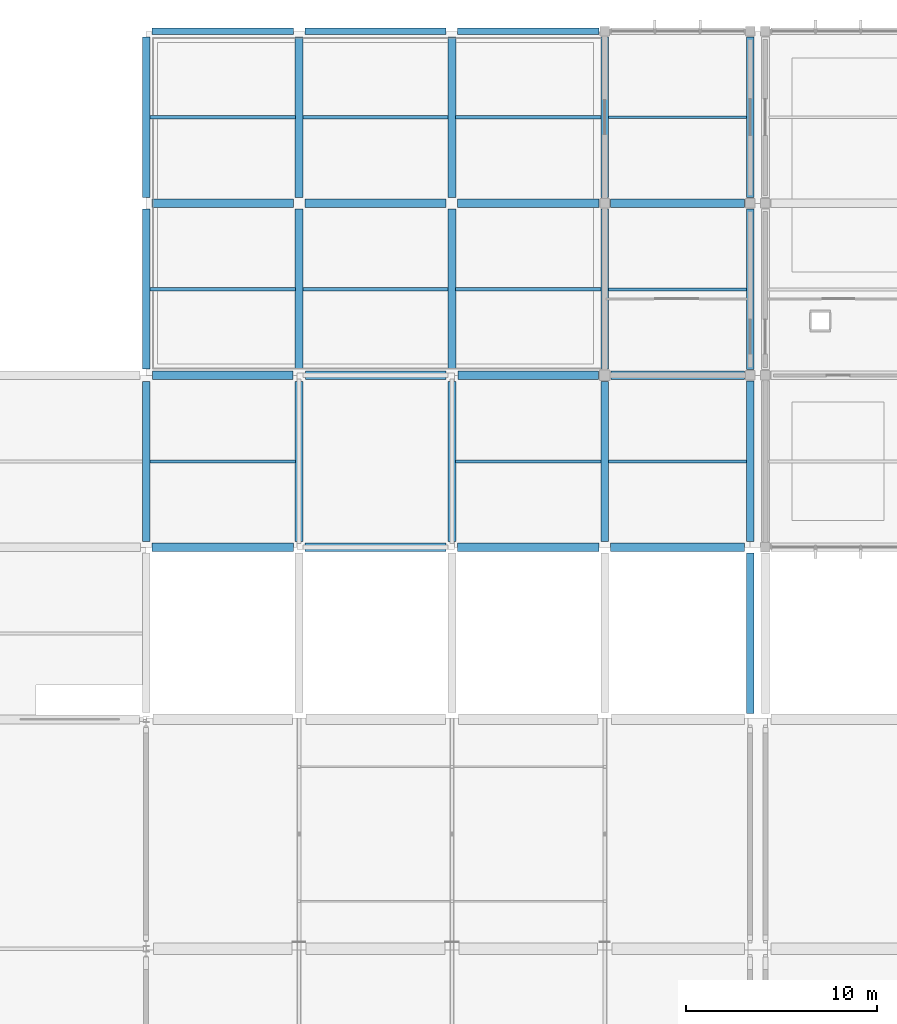
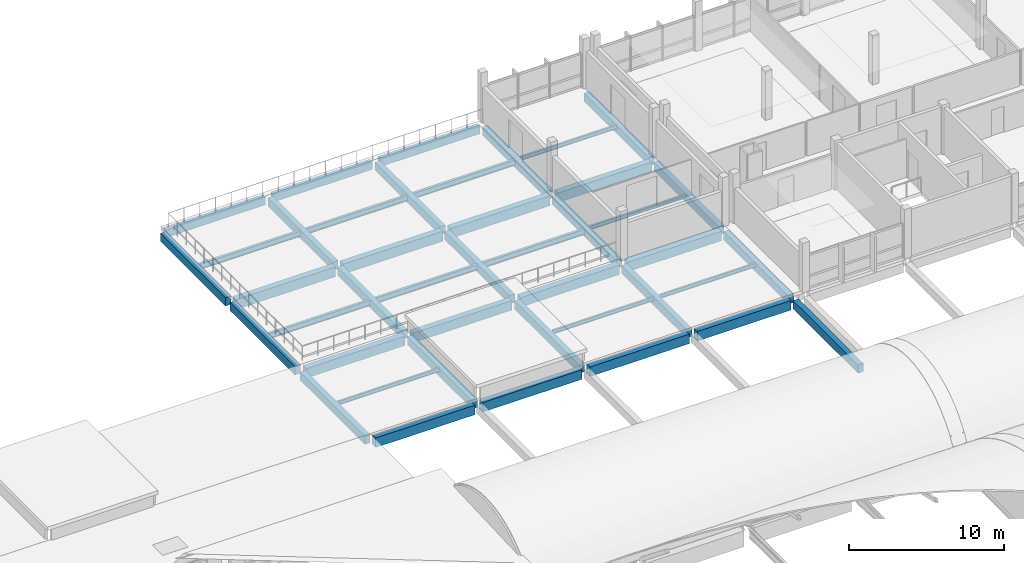
# One storey, part 17 of 57: 42 beams.
"""IFC4 building model written with IfcOpenShell, lengths in metres."""

from ifc_helpers import new_model, si_unit, direction, frame, origin, origin_2d, place, context, subcontext, project, spatial, rectangle, i_section, extrude, material, material_profile, profile_set, type_object, element, save


model = new_model("IFC4")

# Units and contexts
model_context = context("Model", 3, precision=1e-05, world=origin(), true_north=direction((0.0, 1.0)))
body_context = subcontext(model_context, "Body", "Model", "MODEL_VIEW")
ifc_project = project(units=[si_unit("LENGTHUNIT", "METRE"), si_unit("AREAUNIT", "SQUARE_METRE"), si_unit("VOLUMEUNIT", "CUBIC_METRE"), si_unit("PLANEANGLEUNIT", "RADIAN"), si_unit("MASSUNIT", "GRAM", prefix="KILO"), si_unit("THERMODYNAMICTEMPERATUREUNIT", "KELVIN"), si_unit("POWERUNIT", "WATT")], contexts=[model_context])

# Site, building, storey
site_placement = place(None, origin())
site = spatial("IfcSite", under=ifc_project, at=site_placement, CompositionType="ELEMENT")
building_placement = place(site_placement, origin())
building = spatial("IfcBuilding", under=site, at=building_placement, Name="Kronsvod Quay Wholesale Market", CompositionType="ELEMENT")
storey_placement = place(building_placement, frame((0.0, 0.0, 13.199951171875)))
storey = spatial("IfcBuildingStorey", under=building, at=storey_placement, Name="L03", CompositionType="ELEMENT", Elevation=13.199951171875)

# Beams
ifc_material_1 = material(Name="Precast concrete C40/50", Category="concrete")
ifc_material_profile_1 = material_profile(ifc_material_1, rectangle(XDim=0.39990234375, YDim=0.64990234375, at=origin_2d()), Name="PCB400x650")
ifc_profile_set_1 = profile_set([ifc_material_profile_1], Name="Precast concrete C40/50")
beam_type_1 = type_object("IfcBeamType", Name="Beam_PCB400x650", PredefinedType="BEAM", material=ifc_profile_set_1)
for number, where, z_axis, x_axis, name in (
    (1, (32.0, 99.300048828125, -0.635009765625), (0.0, 1.0, 0.0), (-1.0, 0.0, 0.0), "BMY-L03-320-990"),
    (2, (32.0, 108.324951171875, -0.635009765625), (0.0, 1.0, 0.0), (-1.0, 0.0, 0.0), "BMY-L03-320-1080"),
):
    element("IfcBeam", number, at=place(storey_placement, frame(where, z_axis=z_axis, x_axis=x_axis)), inside=storey, type_object=beam_type_1, Name=name, PredefinedType="BEAM", context=body_context, shape_type="SweptSolid", body=[
        extrude(rectangle(XDim=0.39990234375, YDim=0.64990234375, at=origin_2d()), origin(), (0.0, 0.0, 1.0), 8.375),
    ])
beam_1_placement = place(storey_placement, frame((32.0, 117.300048828125, -0.635009765625), z_axis=(0.0, 1.0, 0.0), x_axis=(-1.0, 0.0, 0.0)))
element("IfcBeam", 3, at=beam_1_placement, inside=storey, type_object=beam_type_1, Name="BMY-L03-320-1170", PredefinedType="BEAM", context=body_context, shape_type="SweptSolid", body=[
    extrude(rectangle(XDim=0.39990234375, YDim=0.64990234375, at=origin_2d()), origin(), (0.0, 0.0, 1.0), 8.39990234375),
])
for number, where, z_axis, x_axis, name in (
    (4, (40.0, 99.300048828125, -0.635009765625), (0.0, 1.0, 0.0), (-1.0, 0.0, 0.0), "BMY-L03-400-990"),
    (5, (40.0, 108.324951171875, -0.635009765625), (0.0, 1.0, 0.0), (-1.0, 0.0, 0.0), "BMY-L03-400-1080"),
):
    element("IfcBeam", number, at=place(storey_placement, frame(where, z_axis=z_axis, x_axis=x_axis)), inside=storey, type_object=beam_type_1, Name=name, PredefinedType="BEAM", context=body_context, shape_type="SweptSolid", body=[
        extrude(rectangle(XDim=0.39990234375, YDim=0.64990234375, at=origin_2d()), origin(), (0.0, 0.0, 1.0), 8.375),
    ])
beam_2_placement = place(storey_placement, frame((40.0, 117.300048828125, -0.635009765625), z_axis=(0.0, 1.0, 0.0), x_axis=(-1.0, 0.0, 0.0)))
element("IfcBeam", 6, at=beam_2_placement, inside=storey, type_object=beam_type_1, Name="BMY-L03-400-1170", PredefinedType="BEAM", context=body_context, shape_type="SweptSolid", body=[
    extrude(rectangle(XDim=0.39990234375, YDim=0.64990234375, at=origin_2d()), origin(), (0.0, 0.0, 1.0), 8.39990234375),
])
for number, where, z_axis, x_axis, name in (
    (7, (48.0, 99.300048828125, -0.635009765625), (0.0, 1.0, 0.0), (-1.0, 0.0, 0.0), "BMY-L03-480-990"),
    (8, (48.0, 108.324951171875, -0.635009765625), (0.0, 1.0, 0.0), (-1.0, 0.0, 0.0), "BMY-L03-480-1080"),
):
    element("IfcBeam", number, at=place(storey_placement, frame(where, z_axis=z_axis, x_axis=x_axis)), inside=storey, type_object=beam_type_1, Name=name, PredefinedType="BEAM", context=body_context, shape_type="SweptSolid", body=[
        extrude(rectangle(XDim=0.39990234375, YDim=0.64990234375, at=origin_2d()), origin(), (0.0, 0.0, 1.0), 8.375),
    ])
beam_3_placement = place(storey_placement, frame((48.0, 117.300048828125, -0.635009765625), z_axis=(0.0, 1.0, 0.0), x_axis=(-1.0, 0.0, 0.0)))
element("IfcBeam", 9, at=beam_3_placement, inside=storey, type_object=beam_type_1, Name="BMY-L03-480-1170", PredefinedType="BEAM", context=body_context, shape_type="SweptSolid", body=[
    extrude(rectangle(XDim=0.39990234375, YDim=0.64990234375, at=origin_2d()), origin(), (0.0, 0.0, 1.0), 8.39990234375),
])
for number, where, z_axis, x_axis, name in (
    (10, (56.0, 99.300048828125, -0.635009765625), (0.0, 1.0, 0.0), (-1.0, 0.0, 0.0), "BMY-L03-560-990"),
    (11, (56.0, 108.324951171875, -0.635009765625), (0.0, 1.0, 0.0), (-1.0, 0.0, 0.0), "BMY-L03-560-1080"),
):
    element("IfcBeam", number, at=place(storey_placement, frame(where, z_axis=z_axis, x_axis=x_axis)), inside=storey, type_object=beam_type_1, Name=name, PredefinedType="BEAM", context=body_context, shape_type="SweptSolid", body=[
        extrude(rectangle(XDim=0.39990234375, YDim=0.64990234375, at=origin_2d()), origin(), (0.0, 0.0, 1.0), 8.375),
    ])
for number, where, z_axis, x_axis, name in (
    (12, (56.0, 117.300048828125, -0.635009765625), (0.0, 1.0, 0.0), (-1.0, 0.0, 0.0), "BMY-L03-560-1170"),
    (13, (63.60009765625, 90.300048828125, -0.635009765625), (0.0, 1.0, 0.0), (-1.0, 0.0, 0.0), "BMY-L03-636-900"),
    (14, (63.60009765625, 99.300048828125, -0.635009765625), (0.0, 1.0, 0.0), (-1.0, 0.0, 0.0), "BMY-L03-636-990"),
    (15, (63.60009765625, 108.300048828125, -0.635009765625), (0.0, 1.0, 0.0), (-1.0, 0.0, 0.0), "BMY-L03-636-1080"),
    (16, (63.60009765625, 117.300048828125, -0.635009765625), (0.0, 1.0, 0.0), (-1.0, 0.0, 0.0), "BMY-L03-636-1170"),
):
    element("IfcBeam", number, at=place(storey_placement, frame(where, z_axis=z_axis, x_axis=x_axis)), inside=storey, type_object=beam_type_1, Name=name, PredefinedType="BEAM", context=body_context, shape_type="SweptSolid", body=[
        extrude(rectangle(XDim=0.39990234375, YDim=0.64990234375, at=origin_2d()), origin(), (0.0, 0.0, 1.0), 8.39990234375),
    ])
ifc_material_2 = material(Name="Precast concrete C40/50", Category="concrete")
ifc_material_profile_2 = material_profile(ifc_material_2, rectangle(XDim=0.449951171875, YDim=0.75, at=origin_2d()), Name="PCB450x750")
ifc_profile_set_2 = profile_set([ifc_material_profile_2], Name="Precast concrete C40/50")
beam_type_2 = type_object("IfcBeamType", Name="Beam_PCB450x750", PredefinedType="BEAM", material=ifc_profile_set_2)
for number, where, z_axis, x_axis, name in (
    (17, (32.300048828125, 99.0, -0.68505859375), (1.0, 0.0, 0.0), (0.0, 1.0, 0.0), "BMX-L03-320-990"),
    (18, (40.300048828125, 99.0, -0.68505859375), (1.0, 0.0, 0.0), (0.0, 1.0, 0.0), "BMX-L03-400-990"),
    (19, (48.300048828125, 99.0, -0.68505859375), (1.0, 0.0, 0.0), (0.0, 1.0, 0.0), "BMX-L03-480-990"),
):
    element("IfcBeam", number, at=place(storey_placement, frame(where, z_axis=z_axis, x_axis=x_axis)), inside=storey, type_object=beam_type_2, Name=name, PredefinedType="BEAM", context=body_context, shape_type="SweptSolid", body=[
        extrude(rectangle(XDim=0.449951171875, YDim=0.75, at=origin_2d()), origin(), (0.0, 0.0, 1.0), 7.39990234375),
    ])
beam_4_placement = place(storey_placement, frame((56.300048828125, 99.0, -0.68505859375), z_axis=(1.0, 0.0, 0.0), x_axis=(0.0, 1.0, 0.0)))
element("IfcBeam", 20, at=beam_4_placement, inside=storey, type_object=beam_type_2, Name="BMX-L03-560-990", PredefinedType="BEAM", context=body_context, shape_type="SweptSolid", body=[
    extrude(rectangle(XDim=0.449951171875, YDim=0.75, at=origin_2d()), origin(), (0.0, 0.0, 1.0), 7.0),
])
for number, where, z_axis, x_axis, name in (
    (21, (32.324951171875, 108.0, -0.68505859375), (1.0, 0.0, 0.0), (0.0, 1.0, 0.0), "BMX-L03-320-1080"),
    (22, (40.324951171875, 108.0, -0.68505859375), (1.0, 0.0, 0.0), (0.0, 1.0, 0.0), "BMX-L03-400-1080"),
    (23, (48.324951171875, 108.0, -0.68505859375), (1.0, 0.0, 0.0), (0.0, 1.0, 0.0), "BMX-L03-480-1080"),
):
    element("IfcBeam", number, at=place(storey_placement, frame(where, z_axis=z_axis, x_axis=x_axis)), inside=storey, type_object=beam_type_2, Name=name, PredefinedType="BEAM", context=body_context, shape_type="SweptSolid", body=[
        extrude(rectangle(XDim=0.449951171875, YDim=0.75, at=origin_2d()), origin(), (0.0, 0.0, 1.0), 7.35009765625),
    ])
beam_5_placement = place(storey_placement, frame((56.324951171875, 108.0, -0.68505859375), z_axis=(1.0, 0.0, 0.0), x_axis=(0.0, 1.0, 0.0)))
element("IfcBeam", 24, at=beam_5_placement, inside=storey, type_object=beam_type_2, Name="BMX-L03-560-1080", PredefinedType="BEAM", context=body_context, shape_type="SweptSolid", body=[
    extrude(rectangle(XDim=0.449951171875, YDim=0.75, at=origin_2d()), origin(), (0.0, 0.0, 1.0), 6.97509765625),
])
beam_6_placement = place(storey_placement, frame((56.300048828125, 117.0, -0.68505859375), z_axis=(1.0, 0.0, 0.0), x_axis=(0.0, 1.0, 0.0)))
element("IfcBeam", 25, at=beam_6_placement, inside=storey, type_object=beam_type_2, Name="BMX-L03-560-1170", PredefinedType="BEAM", context=body_context, shape_type="SweptSolid", body=[
    extrude(rectangle(XDim=0.449951171875, YDim=0.75, at=origin_2d()), origin(), (0.0, 0.0, 1.0), 7.0),
])
ifc_material_3 = material(Name="Precast concrete C40/50", Category="concrete")
ifc_material_profile_3 = material_profile(ifc_material_3, rectangle(XDim=0.4599609375, YDim=0.780029296875, at=origin_2d()), Name="PB-03")
ifc_profile_set_3 = profile_set([ifc_material_profile_3], Name="Precast concrete C40/50")
beam_type_3 = type_object("IfcBeamType", Name="Beam_PCB460x780", PredefinedType="BEAM", material=ifc_profile_set_3)
for number, where, z_axis, x_axis, name in (
    (26, (32.300048828125, 117.0, -0.699951171875), (1.0, 0.0, 0.0), (0.0, 1.0, 0.0), "BMX-L03-320-1170"),
    (27, (40.300048828125, 117.0, -0.699951171875), (1.0, 0.0, 0.0), (0.0, 1.0, 0.0), "BMX-L03-400-1170"),
    (28, (48.300048828125, 117.0, -0.699951171875), (1.0, 0.0, 0.0), (0.0, 1.0, 0.0), "BMX-L03-480-1170"),
):
    element("IfcBeam", number, at=place(storey_placement, frame(where, z_axis=z_axis, x_axis=x_axis)), inside=storey, type_object=beam_type_3, Name=name, PredefinedType="BEAM", context=body_context, shape_type="SweptSolid", body=[
        extrude(rectangle(XDim=0.4599609375, YDim=0.780029296875, at=origin_2d()), origin(), (0.0, 0.0, 1.0), 7.39990234375),
    ])
ifc_material_4 = material(Name="Steel S355", Category="steel")
ifc_material_profile_4 = material_profile(ifc_material_4, i_section(OverallWidth=0.198974609375, OverallDepth=0.446044921875, WebThickness=0.008056640625, FlangeThickness=0.011962890625, FilletRadius=0.01806640625, at=origin_2d()), Name="45B1")
ifc_profile_set_4 = profile_set([ifc_material_profile_4], Name="Steel S355")
beam_type_4 = type_object("IfcBeamType", Name="Beam_Steel45B1", PredefinedType="BEAM", material=ifc_profile_set_4)
for number, where, z_axis, x_axis, name in (
    (29, (32.195068359375, 112.5, -0.532958984375), (1.0, 0.0, 0.0), (0.0, 1.0, 0.0), "JSTX-L03-320-1080"),
    (30, (32.195068359375, 121.5, -0.532958984375), (1.0, 0.0, 0.0), (0.0, 1.0, 0.0), "JSTX-L03-320-1170"),
    (31, (40.195068359375, 112.5, -0.532958984375), (1.0, 0.0, 0.0), (0.0, 1.0, 0.0), "JSTX-L03-400-1080"),
    (32, (40.195068359375, 121.5, -0.532958984375), (1.0, 0.0, 0.0), (0.0, 1.0, 0.0), "JSTX-L03-400-1170"),
    (33, (48.195068359375, 112.5, -0.532958984375), (1.0, 0.0, 0.0), (0.0, 1.0, 0.0), "JSTX-L03-480-1080"),
    (34, (48.195068359375, 121.5, -0.532958984375), (1.0, 0.0, 0.0), (0.0, 1.0, 0.0), "JSTX-L03-480-1170"),
):
    element("IfcBeam", number, at=place(storey_placement, frame(where, z_axis=z_axis, x_axis=x_axis)), inside=storey, type_object=beam_type_4, Name=name, PredefinedType="BEAM", context=body_context, shape_type="SweptSolid", body=[
        extrude(i_section(OverallWidth=0.198974609375, OverallDepth=0.446044921875, WebThickness=0.008056640625, FlangeThickness=0.011962890625, FilletRadius=0.01806640625, at=origin_2d()), origin(), (0.0, 0.0, 1.0), 7.60986328125),
    ])
ifc_material_5 = material(Name="Steel S355", Category="steel")
ifc_material_profile_5 = material_profile(ifc_material_5, i_section(OverallWidth=0.14990234375, OverallDepth=0.300048828125, WebThickness=0.006591796875, FlangeThickness=0.009033203125, FilletRadius=0.012939453125, at=origin_2d()), Name="30B2")
ifc_profile_set_5 = profile_set([ifc_material_profile_5], Name="Steel S355")
beam_type_5 = type_object("IfcBeamType", Name="Joist_Steel30B2", PredefinedType="JOIST", material=ifc_profile_set_5)
for number, where, z_axis, x_axis, name in (
    (35, (32.195068359375, 103.5, -0.369873046875), (1.0, 0.0, 0.0), (0.0, 1.0, 0.0), "JSTX-L03-320-990"),
    (36, (48.195068359375, 103.5, -0.369873046875), (1.0, 0.0, 0.0), (0.0, 1.0, 0.0), "JSTX-L03-480-990"),
):
    element("IfcBeam", number, at=place(storey_placement, frame(where, z_axis=z_axis, x_axis=x_axis)), inside=storey, type_object=beam_type_5, Name=name, PredefinedType="JOIST", context=body_context, shape_type="SweptSolid", body=[
        extrude(i_section(OverallWidth=0.14990234375, OverallDepth=0.300048828125, WebThickness=0.006591796875, FlangeThickness=0.009033203125, FilletRadius=0.012939453125, at=origin_2d()), origin(), (0.0, 0.0, 1.0), 7.60986328125),
    ])
for number, where, z_axis, x_axis, name in (
    (37, (56.195068359375, 103.5, -0.369873046875), (1.0, 0.0, 0.0), (0.0, 1.0, 0.0), "JSTX-L03-560-990"),
    (38, (56.195068359375, 112.5, -0.39990234375), (1.0, 0.0, 0.0), (0.0, 1.0, 0.0), "JSTX-L03-560-1080"),
    (39, (56.195068359375, 121.5, -0.39990234375), (1.0, 0.0, 0.0), (0.0, 1.0, 0.0), "JSTX-L03-560-1170"),
):
    element("IfcBeam", number, at=place(storey_placement, frame(where, z_axis=z_axis, x_axis=x_axis)), inside=storey, type_object=beam_type_5, Name=name, PredefinedType="JOIST", context=body_context, shape_type="SweptSolid", body=[
        extrude(i_section(OverallWidth=0.14990234375, OverallDepth=0.300048828125, WebThickness=0.006591796875, FlangeThickness=0.009033203125, FilletRadius=0.012939453125, at=origin_2d()), origin(), (0.0, 0.0, 1.0), 7.2099609375),
    ])
ifc_material_6 = material(Name="Precast concrete C40/50", Category="concrete")
ifc_material_profile_6 = material_profile(ifc_material_6, rectangle(XDim=0.35009765625, YDim=0.60009765625, at=origin_2d()), Name="PCSP350x600")
ifc_profile_set_6 = profile_set([ifc_material_profile_6], Name="Precast concrete C40/50")
beam_type_6 = type_object("IfcBeamType", Name="Spandrel_PCSP350x600", PredefinedType="SPANDREL", material=ifc_profile_set_6)
for number, where, z_axis, x_axis, name in (
    (40, (32.300048828125, 126.0, -0.60986328125), (1.0, 0.0, 0.0), (0.0, 1.0, 0.0), "BMX-L03-320-1260"),
    (41, (40.300048828125, 126.0, -0.60986328125), (1.0, 0.0, 0.0), (0.0, 1.0, 0.0), "BMX-L03-400-1260"),
    (42, (48.300048828125, 126.0, -0.60986328125), (1.0, 0.0, 0.0), (0.0, 1.0, 0.0), "BMX-L03-480-1260"),
):
    element("IfcBeam", number, at=place(storey_placement, frame(where, z_axis=z_axis, x_axis=x_axis)), inside=storey, type_object=beam_type_6, Name=name, PredefinedType="SPANDREL", context=body_context, shape_type="SweptSolid", body=[
        extrude(rectangle(XDim=0.35009765625, YDim=0.60009765625, at=origin_2d()), origin(), (0.0, 0.0, 1.0), 7.39990234375),
    ])

save(model, "model.ifc")
